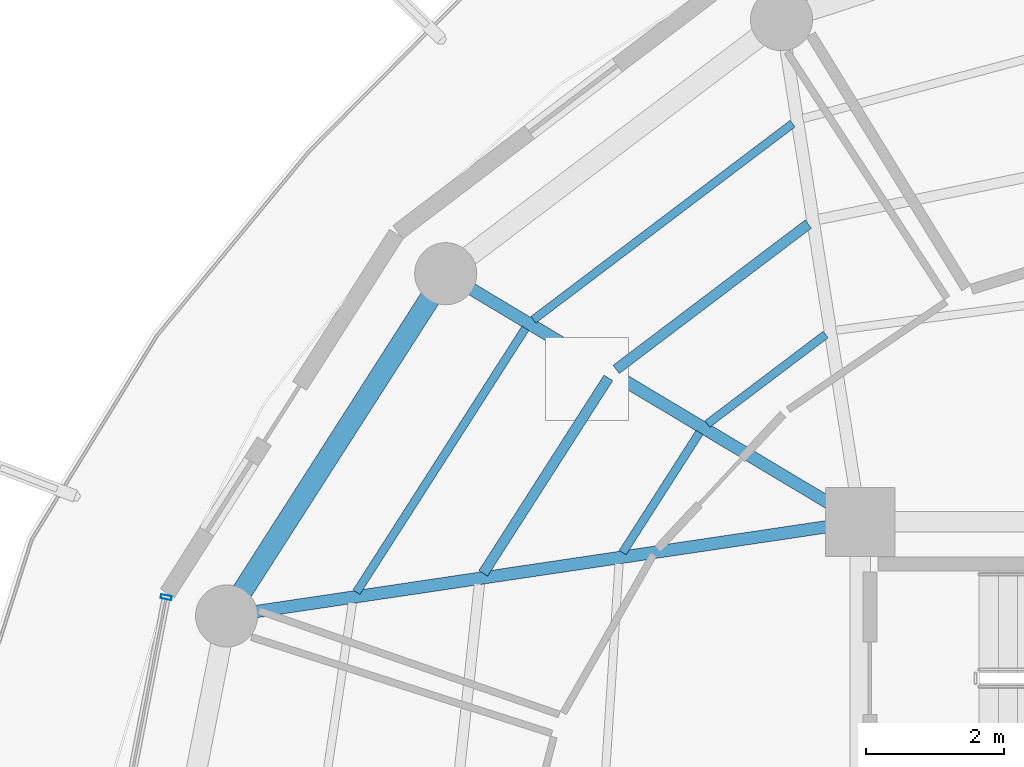
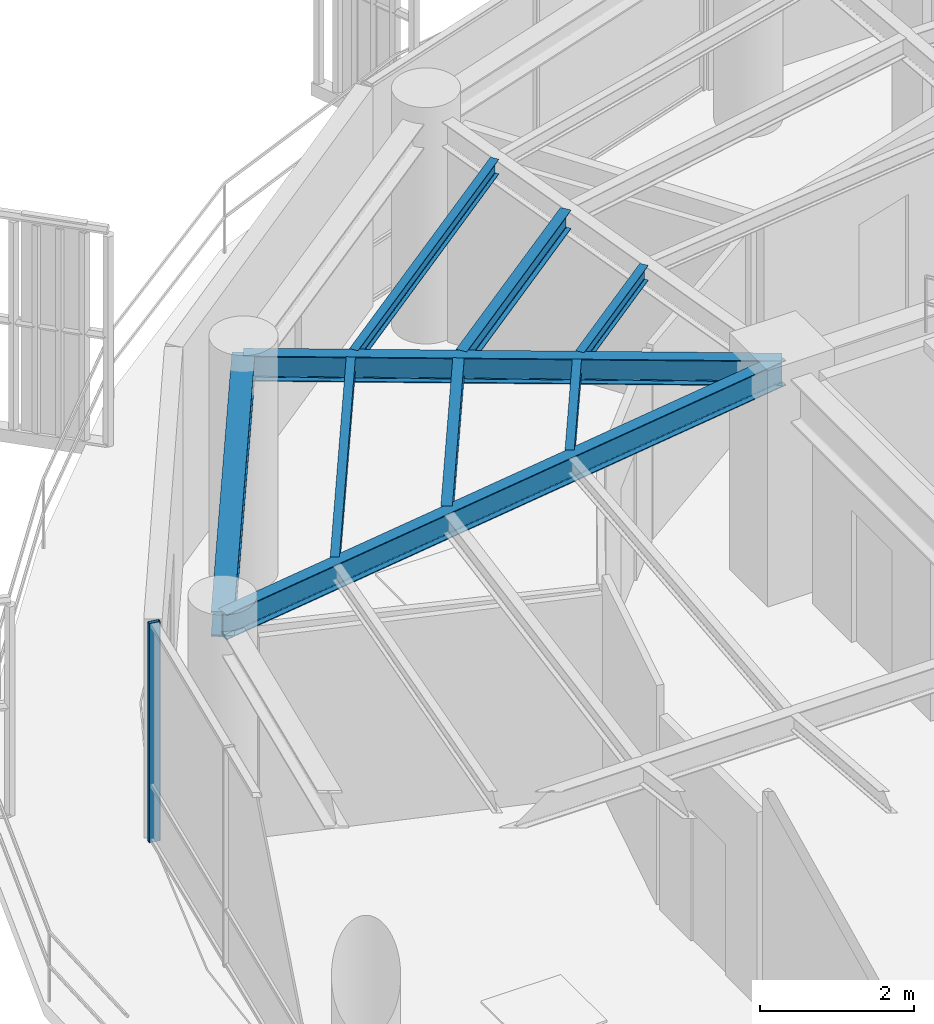
# One storey, part 8 of 23: 9 beams, 1 member, 1 element without a shape of its own.
"""IFC4 building model written with IfcOpenShell, lengths in metres."""

from ifc_helpers import new_model, si_unit, direction, frame, origin, origin_2d, place, context, subcontext, project, spatial, hollow_rectangle, i_section, extrude, material, layer, layer_set, material_profile, profile_set, type_object, element, aggregate, save


model = new_model("IFC4")

# Units and contexts
model_context = context("Model", 3, precision=1e-05, world=origin(), true_north=direction((0.0, 1.0)))
body_context = subcontext(model_context, "Body", "Model", "MODEL_VIEW")
ifc_project = project(units=[si_unit("LENGTHUNIT", "METRE"), si_unit("AREAUNIT", "SQUARE_METRE"), si_unit("VOLUMEUNIT", "CUBIC_METRE"), si_unit("PLANEANGLEUNIT", "RADIAN"), si_unit("MASSUNIT", "GRAM", prefix="KILO")], contexts=[model_context])

# Site, building, storey
site_placement = place(None, origin())
site = spatial("IfcSite", under=ifc_project, at=site_placement, CompositionType="ELEMENT")
building_placement = place(site_placement, origin())
building = spatial("IfcBuilding", under=site, at=building_placement, Name="Kelanora Arch Commons", CompositionType="ELEMENT")
storey_placement = place(building_placement, frame((0.0, 0.0, 256.199951171875)))
storey = spatial("IfcBuildingStorey", under=building, at=storey_placement, Name="L65", CompositionType="ELEMENT", Elevation=256.199951171875)

# Beams
ifc_material_1 = material(Name="Steel S355", Category="steel")
ifc_material_profile_1 = material_profile(ifc_material_1, i_section(OverallWidth=0.14990234375, OverallDepth=0.300048828125, WebThickness=0.007080078125, FlangeThickness=0.0107421875, FilletRadius=0.014892578125, at=origin_2d()), Name="IPE300")
ifc_profile_set_1 = profile_set([ifc_material_profile_1], Name="Steel S355")
beam_type_1 = type_object("IfcBeamType", Name="BM-JST-01", PredefinedType="JOIST", material=ifc_profile_set_1)
beam_1_placement = place(storey_placement, frame((65.248291015625, 69.31201171875, 3.340087890625), z_axis=(-0.797499198801, -0.603320004568, 0.0), x_axis=(0.603320004568, -0.797499198801, 0.0)))
element("IfcBeam", 1, at=beam_1_placement, inside=storey, type_object=beam_type_1, Name="Secondary Chord Joist BJB-12 L65", PredefinedType="JOIST", context=body_context, shape_type="SweptSolid", body=[
    extrude(i_section(OverallWidth=0.14990234375, OverallDepth=0.300048828125, WebThickness=0.007080078125, FlangeThickness=0.0107421875, FilletRadius=0.014892578125, at=origin_2d()), origin(), (0.0, 0.0, 1.0), 3.489013671875),
])
beam_2_placement = place(storey_placement, frame((62.352294921875, 67.084228515625, 3.340087890625), z_axis=(-0.539321586177, -0.842099891155, 0.0), x_axis=(0.842099891155, -0.539321586177, 0.0)))
element("IfcBeam", 2, at=beam_2_placement, inside=storey, type_object=beam_type_1, Name="Secondary Chord Joist BJB-14 L65", PredefinedType="JOIST", context=body_context, shape_type="SweptSolid", body=[
    extrude(i_section(OverallWidth=0.14990234375, OverallDepth=0.300048828125, WebThickness=0.007080078125, FlangeThickness=0.0107421875, FilletRadius=0.014892578125, at=origin_2d()), origin(), (0.0, 0.0, 1.0), 3.361572265625),
])
ifc_material_profile_2 = material_profile(ifc_material_1, i_section(OverallWidth=0.1201171875, OverallDepth=0.239990234375, WebThickness=0.006103515625, FlangeThickness=0.009765625, FilletRadius=0.014892578125, at=origin_2d()), Name="IPE240")
ifc_profile_set_2 = profile_set([ifc_material_profile_2], Name="Steel S355")
beam_type_2 = type_object("IfcBeamType", Name="BM-JST-02", PredefinedType="JOIST", material=ifc_profile_set_2)
beam_3_placement = place(storey_placement, frame((65.4990234375, 67.712158203125, 3.3701171875), z_axis=(-0.797509883882, -0.603305880222, 0.0), x_axis=(0.603305880222, -0.797509883882, 0.0)))
element("IfcBeam", 3, at=beam_3_placement, inside=storey, type_object=beam_type_2, Name="Secondary Chord Joist BJA-12 L65", PredefinedType="JOIST", context=body_context, shape_type="SweptSolid", body=[
    extrude(i_section(OverallWidth=0.1201171875, OverallDepth=0.239990234375, WebThickness=0.006103515625, FlangeThickness=0.009765625, FilletRadius=0.014892578125, at=origin_2d()), origin(), (0.0, 0.0, 1.0), 2.147216796875),
])
beam_4_placement = place(storey_placement, frame((65.020263671875, 70.766357421875, 3.3701171875), z_axis=(-0.79752302984, -0.60328850219, 0.0), x_axis=(0.60328850219, -0.79752302984, 0.0)))
element("IfcBeam", 4, at=beam_4_placement, inside=storey, type_object=beam_type_2, Name="Secondary Chord Joist BJC-12 L65", PredefinedType="JOIST", context=body_context, shape_type="SweptSolid", body=[
    extrude(i_section(OverallWidth=0.1201171875, OverallDepth=0.239990234375, WebThickness=0.006103515625, FlangeThickness=0.009765625, FilletRadius=0.014892578125, at=origin_2d()), origin(), (0.0, 0.0, 1.0), 4.70849609375),
])
beam_5_placement = place(storey_placement, frame((63.6728515625, 66.293701171875, 3.3701171875), z_axis=(-0.539311810315, -0.842106152011, 0.0), x_axis=(0.842106152011, -0.539311810315, 0.0)))
element("IfcBeam", 5, at=beam_5_placement, inside=storey, type_object=beam_type_2, Name="Secondary Chord Joist BJA-14 L65", PredefinedType="JOIST", context=body_context, shape_type="SweptSolid", body=[
    extrude(i_section(OverallWidth=0.1201171875, OverallDepth=0.239990234375, WebThickness=0.006103515625, FlangeThickness=0.009765625, FilletRadius=0.014892578125, at=origin_2d()), origin(), (0.0, 0.0, 1.0), 2.06640625),
])
beam_6_placement = place(storey_placement, frame((61.151611328125, 67.802978515625, 3.3701171875), z_axis=(-0.539288735289, -0.842120929552, 0.0), x_axis=(0.842120929552, -0.539288735289, 0.0)))
element("IfcBeam", 6, at=beam_6_placement, inside=storey, type_object=beam_type_2, Name="Secondary Chord Joist BJC-14 L65", PredefinedType="JOIST", context=body_context, shape_type="SweptSolid", body=[
    extrude(i_section(OverallWidth=0.1201171875, OverallDepth=0.239990234375, WebThickness=0.006103515625, FlangeThickness=0.009765625, FilletRadius=0.014892578125, at=origin_2d()), origin(), (0.0, 0.0, 1.0), 4.538818359375),
])
ifc_material_profile_3 = material_profile(ifc_material_1, i_section(OverallWidth=0.179931640625, OverallDepth=0.39990234375, WebThickness=0.008544921875, FlangeThickness=0.013427734375, FilletRadius=0.02099609375, at=origin_2d()), Name="IPE400")
ifc_profile_set_3 = profile_set([ifc_material_profile_3], Name="Steel S355")
beam_type_3 = type_object("IfcBeamType", Name="BM-RAD-Z5", PredefinedType="BEAM", material=ifc_profile_set_3)
beam_7_placement = place(storey_placement, frame((66.0, 65.0, 3.2900390625), z_axis=(-0.858062005744, 0.513546097541, 0.0), x_axis=(-0.513546097541, -0.858062005744, 0.0)))
element("IfcBeam", 7, at=beam_7_placement, inside=storey, type_object=beam_type_3, Name="Radial Floor Girder BR-14 L65", PredefinedType="BEAM", context=body_context, shape_type="SweptSolid", body=[
    extrude(i_section(OverallWidth=0.179931640625, OverallDepth=0.39990234375, WebThickness=0.008544921875, FlangeThickness=0.013427734375, FilletRadius=0.02099609375, at=origin_2d()), origin(), (0.0, 0.0, 1.0), 6.99658203125),
])
beam_8_placement = place(storey_placement, frame((66.0, 65.0, 3.2900390625), z_axis=(-0.989142485564, -0.146959665395, 0.0), x_axis=(0.146959665395, -0.989142485564, 0.0)))
element("IfcBeam", 8, at=beam_8_placement, inside=storey, type_object=beam_type_3, Name="Radial Floor Girder BR-16 L65", PredefinedType="BEAM", context=body_context, shape_type="SweptSolid", body=[
    extrude(i_section(OverallWidth=0.179931640625, OverallDepth=0.39990234375, WebThickness=0.008544921875, FlangeThickness=0.013427734375, FilletRadius=0.02099609375, at=origin_2d()), origin(), (0.0, 0.0, 1.0), 9.2783203125),
])
ifc_material_profile_4 = material_profile(ifc_material_1, i_section(OverallWidth=0.300048828125, OverallDepth=0.39990234375, WebThickness=0.013427734375, FlangeThickness=0.02392578125, FilletRadius=0.027099609375, at=origin_2d()), Name="HEB400")
ifc_profile_set_4 = profile_set([ifc_material_profile_4], Name="Steel S355")
beam_type_4 = type_object("IfcBeamType", Name="BM-SPN-Z4", PredefinedType="SPANDREL", material=ifc_profile_set_4)
beam_9_placement = place(storey_placement, frame((59.99658203125, 68.593017578125, 3.2900390625), z_axis=(-0.539280851353, -0.842125978322, 0.0), x_axis=(0.842125978322, -0.539280851353, 0.0)))
element("IfcBeam", 9, at=beam_9_placement, inside=storey, type_object=beam_type_4, Name="Perimeter Spandrel Beam BS-14 L65", PredefinedType="SPANDREL", context=body_context, shape_type="SweptSolid", body=[
    extrude(i_section(OverallWidth=0.300048828125, OverallDepth=0.39990234375, WebThickness=0.013427734375, FlangeThickness=0.02392578125, FilletRadius=0.027099609375, at=origin_2d()), origin(), (0.0, 0.0, 1.0), 5.8857421875),
])

# Curtain wall, member
ifc_material_2 = material(Name="Terracotta ceramic-fritted low-E glass and aluminium", Category="masonry")
ifc_layer = layer(ifc_material_2, 0.18994140625)
ifc_layer_set = layer_set([ifc_layer], Name="Terracotta ceramic-fritted low-E glass and aluminium")
curtain_wall_type = type_object("IfcCurtainWallType", Name="CW-SYS-03", PredefinedType="NOTDEFINED", material=ifc_layer_set)
curtain_wall_placement = place(storey_placement, origin())
curtain_wall = element("IfcCurtainWall", 10, at=curtain_wall_placement, inside=storey, type_object=curtain_wall_type, Name="Unitised Curtain Wall L65-B08", PredefinedType="NOTDEFINED")
ifc_material_3 = material(Name="Powder-coated aluminium terracotta", Category="masonry")
ifc_material_profile_5 = material_profile(ifc_material_3, hollow_rectangle(XDim=0.159912109375, YDim=0.06005859375, WallThickness=0.0048828125, InnerFilletRadius=0.0048828125, OuterFilletRadius=0.010009765625, at=origin_2d()), Name="CWM160x60")
ifc_profile_set_5 = profile_set([ifc_material_profile_5], Name="Powder-coated aluminium terracotta")
member_type = type_object("IfcMemberType", Name="CWM-STD", PredefinedType="MULLION", material=ifc_profile_set_5)
member_placement = place(storey_placement, frame((55.94921875, 63.906982421875, 0.0), z_axis=(0.0, 0.0, 1.0), x_axis=(0.981595542501, -0.190971701941, 0.0)))
member = element("IfcMember", 11, at=member_placement, type_object=member_type, Name="CW-03 mullion 1", PredefinedType="MULLION", context=body_context, shape_type="SweptSolid", body=[
    extrude(hollow_rectangle(XDim=0.159912109375, YDim=0.06005859375, WallThickness=0.0048828125, InnerFilletRadius=0.0048828125, OuterFilletRadius=0.010009765625, at=origin_2d()), origin(), (0.0, 0.0, 1.0), 3.47509765625),
])
aggregate(curtain_wall, [member])

save(model, "model.ifc")
